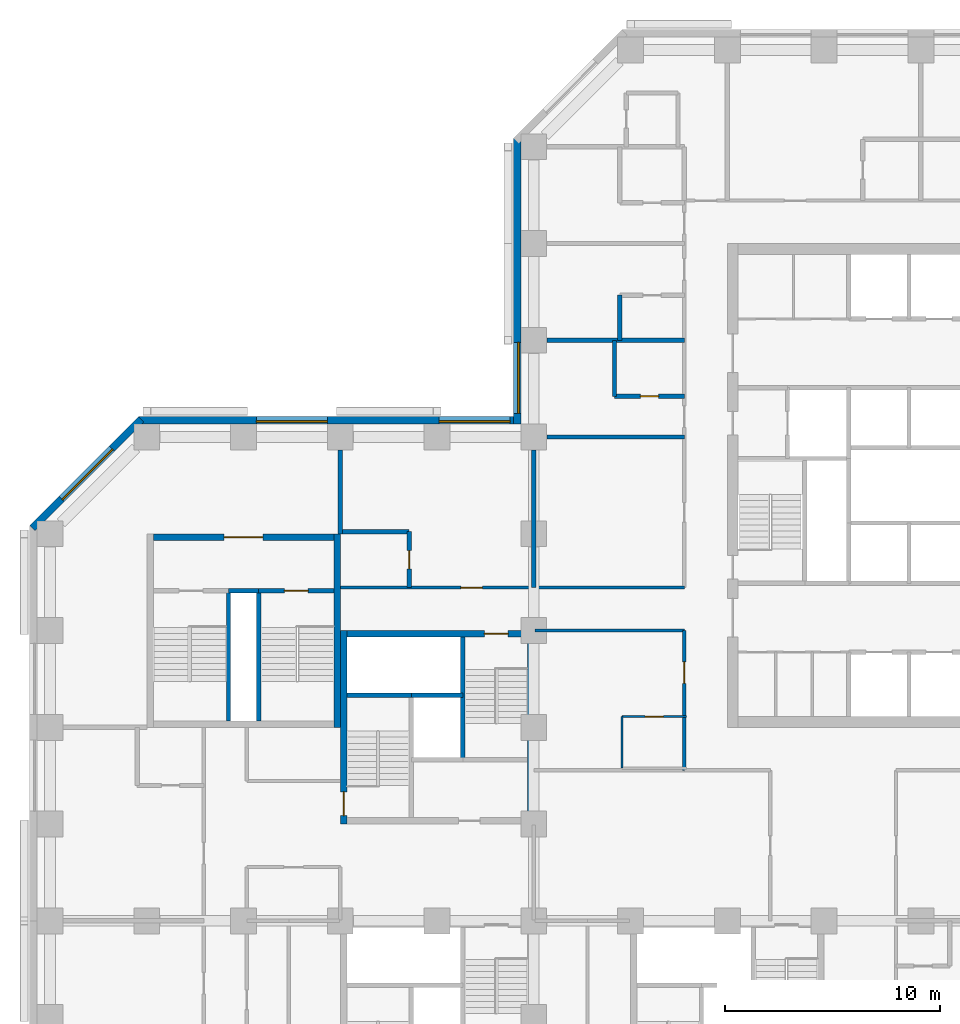
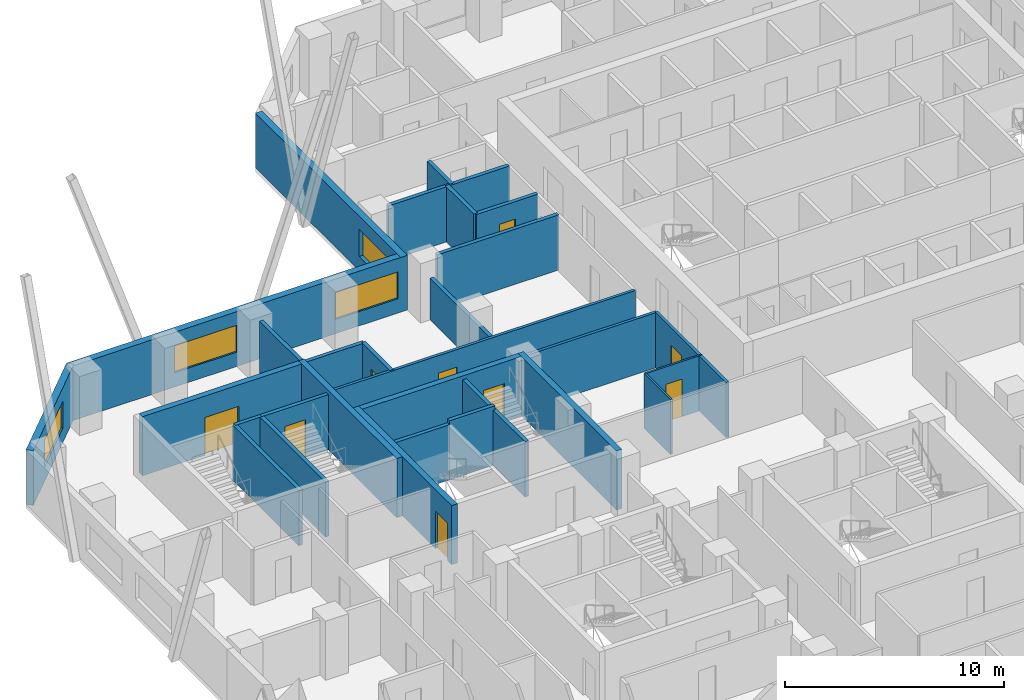
# One storey, part 7 of 13: 29 walls, 9 doors, 4 windows, 13 openings.
"""IFC4 building model written with IfcOpenShell, lengths in metres."""

from ifc_helpers import new_model, si_unit, direction, frame, frame_2d, origin, place, context, subcontext, project, spatial, rectangle, extrude, material, layer, layer_set, constituent, constituent_set, type_object, element, fill, save


model = new_model("IFC4")

# Units and contexts
model_context = context("Model", 3, precision=1e-05, world=origin(), true_north=direction((0.0, 1.0)))
body_context = subcontext(model_context, "Body", "Model", "MODEL_VIEW")
ifc_project = project(units=[si_unit("LENGTHUNIT", "METRE"), si_unit("AREAUNIT", "SQUARE_METRE"), si_unit("VOLUMEUNIT", "CUBIC_METRE"), si_unit("PLANEANGLEUNIT", "RADIAN"), si_unit("MASSUNIT", "GRAM", prefix="KILO")], contexts=[model_context])

# Site, building, storey
site_placement = place(None, origin())
site = spatial("IfcSite", under=ifc_project, at=site_placement, CompositionType="ELEMENT")
building_placement = place(site_placement, origin())
building = spatial("IfcBuilding", under=site, at=building_placement, Name="Quoin Convention Tower", CompositionType="ELEMENT")
storey_placement = place(building_placement, frame((0.0, 0.0, 52.800048828125)))
storey = spatial("IfcBuildingStorey", under=building, at=storey_placement, Name="L13", CompositionType="ELEMENT", Elevation=52.800048828125)

# Wall, opening, window
ifc_material_1 = material(Name="Brick masonry", Category="masonry")
ifc_layer_1 = layer(ifc_material_1, 0.35009765625)
ifc_layer_set_1 = layer_set([ifc_layer_1], Name="Brick masonry")
wall_type_1 = type_object("IfcWallType", Name="Brick facade wall", PredefinedType="STANDARD", material=ifc_layer_set_1)
wall_1_placement = place(storey_placement, frame((35.22509765625, 76.8935546875, 0.0), z_axis=(0.0, 0.0, 1.0), x_axis=(0.0, -1.0, 0.0)))
wall_1 = element("IfcWall", 1, at=wall_1_placement, inside=storey, type_object=wall_type_1, Name="fw-L13-36000_76500", PredefinedType="STANDARD", context=body_context, shape_type="SweptSolid", body=[
    extrude(rectangle(XDim=13.29345703125, YDim=0.35009765625, at=frame_2d((6.646728515625, 0.0))), origin(), (0.0, 0.0, 1.0), 3.054931640625),
])
opening_1_placement = place(wall_1_placement, frame((9.493408203125, 0.0, 0.800048828125)))
opening_1 = element("IfcOpeningElement", 2, at=opening_1_placement, cuts=wall_1, Name="Opening W-01", PredefinedType="OPENING", context=body_context, shape_type="SweptSolid", body=[
    extrude(rectangle(XDim=3.300048828125, YDim=1.5, at=frame_2d((1.64990234375, 0.75))), frame((0.0, 0.18505859375, 0.0), z_axis=(0.0, -1.0, 0.0), x_axis=(1.0, 0.0, 0.0)), (0.0, 0.0, 1.0), 0.3701171875),
])
ifc_material_2 = material(Name="Aluminium", Category="aluminium")
ifc_constituent_1 = constituent(ifc_material_2, Name="Frame")
ifc_material_3 = material(Name="Insulated glass", Category="glass")
ifc_constituent_2 = constituent(ifc_material_3, Name="Glazing")
ifc_constituent_set = constituent_set(constituents=[ifc_constituent_1, ifc_constituent_2], Name="Aluminium")
window_type = type_object("IfcWindowType", Name="Hotel strip window", PartitioningType="DOUBLE_PANEL_VERTICAL", PredefinedType="WINDOW", material=ifc_constituent_set)
window_1_placement = place(opening_1_placement, origin())
window_1 = element("IfcWindow", 3, at=window_1_placement, inside=storey, type_object=window_type, Name="win-L13-35225_65250", OverallHeight=1.5, OverallWidth=3.300048828125, PartitioningType="SINGLE_PANEL", PredefinedType="WINDOW", context=body_context, shape_type="SweptSolid", body=[
    extrude(rectangle(XDim=3.300048828125, YDim=1.5, at=frame_2d((1.64990234375, 0.75))), frame((0.0, 0.0849609375, 0.0), z_axis=(0.0, -1.0, 0.0), x_axis=(1.0, 0.0, 0.0)), (0.0, 0.0, 1.0), 0.06005859375),
])
fill(opening_1, window_1)

# Wall, openings, windows
wall_2_placement = place(storey_placement, frame((35.39990234375, 63.77490234375, 0.0), z_axis=(0.0, 0.0, 1.0), x_axis=(-1.0, 0.0, 0.0)))
wall_2 = element("IfcWall", 4, at=wall_2_placement, inside=storey, type_object=wall_type_1, Name="fw-L13-36000_63000", PredefinedType="STANDARD", context=body_context, shape_type="SweptSolid", body=[
    extrude(rectangle(XDim=17.79345703125, YDim=0.35009765625, at=frame_2d((8.896728515625, 0.0))), origin(), (0.0, 0.0, 1.0), 3.054931640625),
])
opening_2_placement = place(wall_2_placement, frame((0.5, 0.0, 0.800048828125)))
opening_2 = element("IfcOpeningElement", 5, at=opening_2_placement, cuts=wall_2, Name="Opening W-01", PredefinedType="OPENING", context=body_context, shape_type="SweptSolid", body=[
    extrude(rectangle(XDim=3.300048828125, YDim=1.5, at=frame_2d((1.64990234375, 0.75))), frame((0.0, 0.18505859375, 0.0), z_axis=(0.0, -1.0, 0.0), x_axis=(1.0, 0.0, 0.0)), (0.0, 0.0, 1.0), 0.3701171875),
])
opening_3_placement = place(wall_2_placement, frame((9.0, 0.0, 0.800048828125)))
opening_3 = element("IfcOpeningElement", 6, at=opening_3_placement, cuts=wall_2, Name="Opening W-01", PredefinedType="OPENING", context=body_context, shape_type="SweptSolid", body=[
    extrude(rectangle(XDim=3.300048828125, YDim=1.5, at=frame_2d((1.64990234375, 0.75))), frame((0.0, 0.18505859375, 0.0), z_axis=(0.0, -1.0, 0.0), x_axis=(1.0, 0.0, 0.0)), (0.0, 0.0, 1.0), 0.3701171875),
])
window_2_placement = place(opening_2_placement, origin())
window_2 = element("IfcWindow", 7, at=window_2_placement, inside=storey, type_object=window_type, Name="win-L13-33750_63775", OverallHeight=1.5, OverallWidth=3.300048828125, PartitioningType="SINGLE_PANEL", PredefinedType="WINDOW", context=body_context, shape_type="SweptSolid", body=[
    extrude(rectangle(XDim=3.300048828125, YDim=1.5, at=frame_2d((1.64990234375, 0.75))), frame((0.0, 0.0849609375, 0.0), z_axis=(0.0, -1.0, 0.0), x_axis=(1.0, 0.0, 0.0)), (0.0, 0.0, 1.0), 0.06005859375),
])
fill(opening_2, window_2)
window_3_placement = place(opening_3_placement, origin())
window_3 = element("IfcWindow", 8, at=window_3_placement, inside=storey, type_object=window_type, Name="win-L13-24750_63775", OverallHeight=1.5, OverallWidth=3.300048828125, PartitioningType="SINGLE_PANEL", PredefinedType="WINDOW", context=body_context, shape_type="SweptSolid", body=[
    extrude(rectangle(XDim=3.300048828125, YDim=1.5, at=frame_2d((1.64990234375, 0.75))), frame((0.0, 0.0849609375, 0.0), z_axis=(0.0, -1.0, 0.0), x_axis=(1.0, 0.0, 0.0)), (0.0, 0.0, 1.0), 0.06005859375),
])
fill(opening_3, window_3)

# Wall, opening, window
wall_3_placement = place(storey_placement, frame((17.730224609375, 63.826416015625, 0.0), z_axis=(0.0, 0.0, 1.0), x_axis=(-0.707106781187, -0.707106781187, 0.0)))
wall_3 = element("IfcWall", 9, at=wall_3_placement, inside=storey, type_object=wall_type_1, Name="fw-L13-18000_63000", PredefinedType="STANDARD", context=body_context, shape_type="SweptSolid", body=[
    extrude(rectangle(XDim=7.151123046875, YDim=0.35009765625, at=frame_2d((3.57568359375, 0.0))), origin(), (0.0, 0.0, 1.0), 3.054931640625),
])
opening_4_placement = place(wall_3_placement, frame((1.925537109375, 0.0, 0.800048828125)))
opening_4 = element("IfcOpeningElement", 10, at=opening_4_placement, cuts=wall_3, Name="Opening W-01", PredefinedType="OPENING", context=body_context, shape_type="SweptSolid", body=[
    extrude(rectangle(XDim=3.300048828125, YDim=1.5, at=frame_2d((1.64990234375, 0.75))), frame((0.0, 0.18505859375, 0.0), z_axis=(0.0, -1.0, 0.0), x_axis=(1.0, 0.0, 0.0)), (0.0, 0.0, 1.0), 0.3701171875),
])
window_4_placement = place(opening_4_placement, origin())
window_4 = element("IfcWindow", 11, at=window_4_placement, inside=storey, type_object=window_type, Name="win-L13-15202_61298", OverallHeight=1.5, OverallWidth=3.300048828125, PartitioningType="SINGLE_PANEL", PredefinedType="WINDOW", context=body_context, shape_type="SweptSolid", body=[
    extrude(rectangle(XDim=3.300048828125, YDim=1.5, at=frame_2d((1.64990234375, 0.75))), frame((0.0, 0.0849609375, 0.0), z_axis=(0.0, -1.0, 0.0), x_axis=(1.0, 0.0, 0.0)), (0.0, 0.0, 1.0), 0.06005859375),
])
fill(opening_4, window_4)

# Walls
ifc_material_4 = material(Name="Concrete C50", Category="concrete")
ifc_layer_2 = layer(ifc_material_4, 0.199951171875)
ifc_layer_set_2 = layer_set([ifc_layer_2], Name="Concrete C50")
wall_type_2 = type_object("IfcWallType", Name="Core shaft wall", PredefinedType="SOLIDWALL", material=ifc_layer_set_2)
wall_4_placement = place(storey_placement, frame((27.300048828125, 51.0, 0.0), z_axis=(0.0, 0.0, 1.0), x_axis=(1.0, 0.0, 0.0)))
element("IfcWall", 12, at=wall_4_placement, inside=storey, type_object=wall_type_2, Name="cr-P2-L13-h6000_300", PredefinedType="SOLIDWALL", context=body_context, shape_type="SweptSolid", body=[
    extrude(rectangle(XDim=3.0, YDim=0.199951171875, at=frame_2d((1.5, 0.0))), origin(), (0.0, 0.0, 1.0), 3.079833984375),
])
wall_5_placement = place(storey_placement, frame((32.699951171875, 48.0, 0.0), z_axis=(0.0, 0.0, 1.0), x_axis=(0.0, 1.0, 0.0)))
element("IfcWall", 13, at=wall_5_placement, inside=storey, type_object=wall_type_2, Name="cr-P2-L13-v5700_3000", PredefinedType="SOLIDWALL", context=body_context, shape_type="SweptSolid", body=[
    extrude(rectangle(XDim=5.699951171875, YDim=0.199951171875, at=frame_2d((2.85009765625, 0.0))), origin(), (0.0, 0.0, 1.0), 3.079833984375),
])
wall_6_placement = place(storey_placement, frame((21.800048828125, 55.85009765625, 0.0), z_axis=(0.0, 0.0, 1.0), x_axis=(1.0, 0.0, 0.0)))
element("IfcWall", 14, at=wall_6_placement, inside=storey, type_object=wall_type_2, Name="cr-P6-L13-h6350_3800", PredefinedType="SOLIDWALL", context=body_context, shape_type="SweptSolid", body=[
    extrude(rectangle(XDim=1.39990234375, YDim=0.199951171875, at=frame_2d((0.699951171875, 0.0))), origin(), (0.0, 0.0, 1.0), 3.079833984375),
])

# Wall, opening, door
wall_7_placement = place(storey_placement, frame((23.199951171875, 55.85009765625, 0.0), z_axis=(0.0, 0.0, 1.0), x_axis=(1.0, 0.0, 0.0)))
wall_7 = element("IfcWall", 15, at=wall_7_placement, inside=storey, type_object=wall_type_2, Name="cr-P6-L13-h6350_5200", PredefinedType="SOLIDWALL", context=body_context, shape_type="SweptSolid", body=[
    extrude(rectangle(XDim=3.5, YDim=0.199951171875, at=frame_2d((1.75, 0.0))), origin(), (0.0, 0.0, 1.0), 3.079833984375),
])
opening_5_placement = place(wall_7_placement, frame((1.199951171875, 0.0, 0.0)))
opening_5 = element("IfcOpeningElement", 16, at=opening_5_placement, cuts=wall_7, Name="Opening SD12", PredefinedType="OPENING", context=body_context, shape_type="SweptSolid", body=[
    extrude(rectangle(XDim=1.10009765625, YDim=2.10009765625, at=frame_2d((0.550048828125, 1.050048828125))), frame((0.0, 0.10986328125, 0.0), z_axis=(0.0, -1.0, 0.0), x_axis=(1.0, 0.0, 0.0)), (0.0, 0.0, 1.0), 0.219970703125),
])
ifc_material_5 = material(Name="Steel door leaf", Category="steel")
door_type_1 = type_object("IfcDoorType", Name="Stair door 1100 x 2100", OperationType="SINGLE_SWING_RIGHT", PredefinedType="DOOR", material=ifc_material_5)
door_1_placement = place(opening_5_placement, origin())
door_1 = element("IfcDoor", 17, at=door_1_placement, inside=storey, type_object=door_type_1, Name="cd-P6-L13-SB-R2-SD12", OperationType="SINGLE_SWING_RIGHT", OverallHeight=2.10009765625, OverallWidth=1.10009765625, PredefinedType="DOOR", context=body_context, shape_type="SweptSolid", body=[
    extrude(rectangle(XDim=1.10009765625, YDim=2.10009765625, at=frame_2d((0.550048828125, 1.050048828125))), frame((0.0, 0.02490234375, 0.0), z_axis=(0.0, -1.0, 0.0), x_axis=(1.0, 0.0, 0.0)), (0.0, 0.0, 1.0), 0.050048828125),
])
fill(opening_5, door_1)

# Walls
for number, where, z_axis, x_axis, name in (
    (18, (21.800048828125, 49.800048828125, 0.0), (0.0, 0.0, 1.0), (0.0, 1.0, 0.0), "cr-P6-L13-v3800_300"),
    (19, (23.199951171875, 49.800048828125, 0.0), (0.0, 0.0, 1.0), (0.0, 1.0, 0.0), "cr-P6-L13-v5200_300"),
):
    element("IfcWall", number, at=place(storey_placement, frame(where, z_axis=z_axis, x_axis=x_axis)), inside=storey, type_object=wall_type_2, Name=name, PredefinedType="SOLIDWALL", context=body_context, shape_type="SweptSolid", body=[
        extrude(rectangle(XDim=6.050048828125, YDim=0.199951171875, at=frame_2d((3.02490234375, 0.0))), origin(), (0.0, 0.0, 1.0), 3.079833984375),
    ])
ifc_layer_3 = layer(ifc_material_4, 0.199951171875)
ifc_layer_set_3 = layer_set([ifc_layer_3], Name="Concrete C50")
wall_type_3 = type_object("IfcWallType", Name="Core shaft wall to the floor level over", PredefinedType="SOLIDWALL", material=ifc_layer_set_3)
wall_8_placement = place(storey_placement, frame((30.300048828125, 51.0, 0.0), z_axis=(0.0, 0.0, 1.0), x_axis=(1.0, 0.0, 0.0)))
element("IfcWall", 20, at=wall_8_placement, inside=storey, type_object=wall_type_3, Name="cr-P2-L13-h6000_3300", PredefinedType="SOLIDWALL", context=body_context, shape_type="SweptSolid", body=[
    extrude(rectangle(XDim=2.39990234375, YDim=0.199951171875, at=frame_2d((1.199951171875, 0.0))), origin(), (0.0, 0.0, 1.0), 3.300048828125),
])

# Wall, opening, door
ifc_material_6 = material(Name="Concrete C80", Category="concrete")
ifc_layer_4 = layer(ifc_material_6, 0.300048828125)
ifc_layer_set_4 = layer_set([ifc_layer_4], Name="Concrete C80")
wall_type_4 = type_object("IfcWallType", Name="RC CORE WALL 300 C80", PredefinedType="SHEAR", material=ifc_layer_set_4)
wall_9_placement = place(storey_placement, frame((27.300048828125, 53.85009765625, 0.0), z_axis=(0.0, 0.0, 1.0), x_axis=(1.0, 0.0, 0.0)))
wall_9 = element("IfcWall", 21, at=wall_9_placement, inside=storey, type_object=wall_type_4, Name="cwl-P2-L13-N", PredefinedType="SHEAR", context=body_context, shape_type="SweptSolid", body=[
    extrude(rectangle(XDim=8.39990234375, YDim=0.300048828125, at=frame_2d((4.199951171875, 0.0))), origin(), (0.0, 0.0, 1.0), 3.300048828125),
])
opening_6_placement = place(wall_9_placement, frame((6.39990234375, 0.0, 0.0)))
opening_6 = element("IfcOpeningElement", 22, at=opening_6_placement, cuts=wall_9, Name="Opening SD4", PredefinedType="OPENING", context=body_context, shape_type="SweptSolid", body=[
    extrude(rectangle(XDim=1.10009765625, YDim=2.10009765625, at=frame_2d((0.550048828125, 1.050048828125))), frame((0.0, 0.159912109375, 0.0), z_axis=(0.0, -1.0, 0.0), x_axis=(1.0, 0.0, 0.0)), (0.0, 0.0, 1.0), 0.320068359375),
])
door_2_placement = place(opening_6_placement, frame((1.10009765625, 0.0, 0.0), z_axis=(0.0, 0.0, 1.0), x_axis=(-1.0, 0.0, 0.0)))
door_2 = element("IfcDoor", 23, at=door_2_placement, inside=storey, type_object=door_type_1, Name="cd-P2-L13-SB-N", OperationType="SINGLE_SWING_LEFT", OverallHeight=2.10009765625, OverallWidth=1.10009765625, PredefinedType="DOOR", context=body_context, shape_type="SweptSolid", body=[
    extrude(rectangle(XDim=1.10009765625, YDim=2.10009765625, at=frame_2d((0.550048828125, 1.050048828125))), frame((0.0, 0.02490234375, 0.0), z_axis=(0.0, -1.0, 0.0), x_axis=(1.0, 0.0, 0.0)), (0.0, 0.0, 1.0), 0.050048828125),
])
fill(opening_6, door_2)

wall_10_placement = place(storey_placement, frame((27.14990234375, 45.0, 0.0), z_axis=(0.0, 0.0, 1.0), x_axis=(0.0, 1.0, 0.0)))
wall_10 = element("IfcWall", 24, at=wall_10_placement, inside=storey, type_object=wall_type_4, Name="cwl-P2-L13-W", PredefinedType="SHEAR", context=body_context, shape_type="SweptSolid", body=[
    extrude(rectangle(XDim=9.0, YDim=0.300048828125, at=frame_2d((4.5, 0.0))), origin(), (0.0, 0.0, 1.0), 3.300048828125),
])
opening_7_placement = place(wall_10_placement, frame((0.39990234375, 0.0, 0.0)))
opening_7 = element("IfcOpeningElement", 25, at=opening_7_placement, cuts=wall_10, Name="Opening SD3", PredefinedType="OPENING", context=body_context, shape_type="SweptSolid", body=[
    extrude(rectangle(XDim=1.10009765625, YDim=2.10009765625, at=frame_2d((0.550048828125, 1.050048828125))), frame((0.0, 0.159912109375, 0.0), z_axis=(0.0, -1.0, 0.0), x_axis=(1.0, 0.0, 0.0)), (0.0, 0.0, 1.0), 0.320068359375),
])
door_3_placement = place(opening_7_placement, frame((1.10009765625, 0.0, 0.0), z_axis=(0.0, 0.0, 1.0), x_axis=(-1.0, 0.0, 0.0)))
door_3 = element("IfcDoor", 26, at=door_3_placement, inside=storey, type_object=door_type_1, Name="cd-P2-L13-SA-W", OperationType="SINGLE_SWING_RIGHT", OverallHeight=2.10009765625, OverallWidth=1.10009765625, PredefinedType="DOOR", context=body_context, shape_type="SweptSolid", body=[
    extrude(rectangle(XDim=1.10009765625, YDim=2.10009765625, at=frame_2d((0.550048828125, 1.050048828125))), frame((0.0, 0.02490234375, 0.0), z_axis=(0.0, -1.0, 0.0), x_axis=(1.0, 0.0, 0.0)), (0.0, 0.0, 1.0), 0.050048828125),
])
fill(opening_7, door_3)

# Wall
wall_11_placement = place(storey_placement, frame((35.85009765625, 45.0, 0.0), z_axis=(0.0, 0.0, 1.0), x_axis=(0.0, 1.0, 0.0)))
element("IfcWall", 27, at=wall_11_placement, inside=storey, type_object=wall_type_4, Name="cwl-P2-L13-E", PredefinedType="SHEAR", context=body_context, shape_type="SweptSolid", body=[
    extrude(rectangle(XDim=9.0, YDim=0.300048828125, at=frame_2d((4.5, 0.0))), origin(), (0.0, 0.0, 1.0), 3.300048828125),
])

# Wall, opening, door
wall_12_placement = place(storey_placement, frame((18.300048828125, 58.35009765625, 0.0), z_axis=(0.0, 0.0, 1.0), x_axis=(1.0, 0.0, 0.0)))
wall_12 = element("IfcWall", 28, at=wall_12_placement, inside=storey, type_object=wall_type_4, Name="cwl-P6-L13-N", PredefinedType="SHEAR", context=body_context, shape_type="SweptSolid", body=[
    extrude(rectangle(XDim=8.39990234375, YDim=0.300048828125, at=frame_2d((4.199951171875, 0.0))), origin(), (0.0, 0.0, 1.0), 3.300048828125),
])
opening_8_placement = place(wall_12_placement, frame((3.300048828125, 0.0, 0.0)))
opening_8 = element("IfcOpeningElement", 29, at=opening_8_placement, cuts=wall_12, Name="Opening DCV5-55", PredefinedType="OPENING", context=body_context, shape_type="SweptSolid", body=[
    extrude(rectangle(XDim=1.800048828125, YDim=2.10009765625, at=frame_2d((0.89990234375, 1.050048828125))), frame((0.0, 0.159912109375, 0.0), z_axis=(0.0, -1.0, 0.0), x_axis=(1.0, 0.0, 0.0)), (0.0, 0.0, 1.0), 0.320068359375),
])
door_type_2 = type_object("IfcDoorType", Name="Goods lobby door 1800 x 2100", OperationType="SINGLE_SWING_LEFT", PredefinedType="DOOR", material=ifc_material_5)
door_4_placement = place(opening_8_placement, origin())
door_4 = element("IfcDoor", 30, at=door_4_placement, inside=storey, type_object=door_type_2, Name="cd-P6-L13-R2-N", OperationType="SINGLE_SWING_RIGHT", OverallHeight=2.10009765625, OverallWidth=1.800048828125, PredefinedType="DOOR", context=body_context, shape_type="SweptSolid", body=[
    extrude(rectangle(XDim=1.800048828125, YDim=2.10009765625, at=frame_2d((0.89990234375, 1.050048828125))), frame((0.0, 0.02490234375, 0.0), z_axis=(0.0, -1.0, 0.0), x_axis=(1.0, 0.0, 0.0)), (0.0, 0.0, 1.0), 0.050048828125),
])
fill(opening_8, door_4)

# Walls
wall_13_placement = place(storey_placement, frame((26.85009765625, 49.5, 0.0), z_axis=(0.0, 0.0, 1.0), x_axis=(0.0, 1.0, 0.0)))
element("IfcWall", 31, at=wall_13_placement, inside=storey, type_object=wall_type_4, Name="cwl-P6-L13-E", PredefinedType="SHEAR", context=body_context, shape_type="SweptSolid", body=[
    extrude(rectangle(XDim=9.0, YDim=0.300048828125, at=frame_2d((4.5, 0.0))), origin(), (0.0, 0.0, 1.0), 3.300048828125),
])
ifc_layer_5 = layer(ifc_material_4, 0.199951171875)
ifc_layer_set_5 = layer_set([ifc_layer_5], Name="Concrete C50")
wall_type_5 = type_object("IfcWallType", Name="RC party wall", PredefinedType="SOLIDWALL", material=ifc_layer_set_5)
wall_14_placement = place(storey_placement, frame((27.0, 58.5, 0.0), z_axis=(0.0, 0.0, 1.0), x_axis=(0.0, 1.0, 0.0)))
element("IfcWall", 32, at=wall_14_placement, inside=storey, type_object=wall_type_5, Name="pw-L13-097", PredefinedType="SOLIDWALL", context=body_context, shape_type="SweptSolid", body=[
    extrude(rectangle(XDim=3.89990234375, YDim=0.199951171875, at=frame_2d((1.949951171875, 0.0))), origin(), (0.0, 0.0, 1.0), 3.079833984375),
])

# Wall, opening, door
wall_15_placement = place(storey_placement, frame((30.199951171875, 56.0, 0.0), z_axis=(0.0, 0.0, 1.0), x_axis=(0.0, 1.0, 0.0)))
wall_15 = element("IfcWall", 33, at=wall_15_placement, inside=storey, type_object=wall_type_5, Name="pw-L13-098", PredefinedType="SOLIDWALL", context=body_context, shape_type="SweptSolid", body=[
    extrude(rectangle(XDim=2.60009765625, YDim=0.199951171875, at=frame_2d((1.300048828125, 0.0))), origin(), (0.0, 0.0, 1.0), 3.079833984375),
])
opening_9_placement = place(wall_15_placement, frame((0.875, 0.0, 0.0)))
opening_9 = element("IfcOpeningElement", 34, at=opening_9_placement, cuts=wall_15, Name="Opening DHOTEL-B-60", PredefinedType="OPENING", context=body_context, shape_type="SweptSolid", body=[
    extrude(rectangle(XDim=0.85009765625, YDim=2.10009765625, at=frame_2d((0.425048828125, 1.050048828125))), frame((0.0, 0.10986328125, 0.0), z_axis=(0.0, -1.0, 0.0), x_axis=(1.0, 0.0, 0.0)), (0.0, 0.0, 1.0), 0.219970703125),
])
door_type_3 = type_object("IfcDoorType", Name="Bathroom door", OperationType="SINGLE_SWING_LEFT", PredefinedType="DOOR", material=ifc_material_5)
door_5_placement = place(opening_9_placement, frame((0.85009765625, 0.0, 0.0), z_axis=(0.0, 0.0, 1.0), x_axis=(-1.0, 0.0, 0.0)))
door_5 = element("IfcDoor", 35, at=door_5_placement, inside=storey, type_object=door_type_3, Name="dr-L13-028", OperationType="SINGLE_SWING_RIGHT", OverallHeight=2.10009765625, OverallWidth=0.85009765625, PredefinedType="DOOR", context=body_context, shape_type="SweptSolid", body=[
    extrude(rectangle(XDim=0.85009765625, YDim=2.10009765625, at=frame_2d((0.425048828125, 1.050048828125))), frame((0.0, 0.02490234375, 0.0), z_axis=(0.0, -1.0, 0.0), x_axis=(1.0, 0.0, 0.0)), (0.0, 0.0, 1.0), 0.050048828125),
])
fill(opening_9, door_5)

# Wall
wall_16_placement = place(storey_placement, frame((27.10009765625, 58.60009765625, 0.0), z_axis=(0.0, 0.0, 1.0), x_axis=(1.0, 0.0, 0.0)))
element("IfcWall", 36, at=wall_16_placement, inside=storey, type_object=wall_type_5, Name="pw-L13-103", PredefinedType="SOLIDWALL", context=body_context, shape_type="SweptSolid", body=[
    extrude(rectangle(XDim=3.099853515625, YDim=0.199951171875, at=frame_2d((1.5498046875, 0.0))), origin(), (0.0, 0.0, 1.0), 3.079833984375),
])

# Wall, opening, door
wall_17_placement = place(storey_placement, frame((39.75, 64.89990234375, 0.0), z_axis=(0.0, 0.0, 1.0), x_axis=(1.0, 0.0, 0.0)))
wall_17 = element("IfcWall", 37, at=wall_17_placement, inside=storey, type_object=wall_type_5, Name="pw-L13-110", PredefinedType="SOLIDWALL", context=body_context, shape_type="SweptSolid", body=[
    extrude(rectangle(XDim=3.25, YDim=0.199951171875, at=frame_2d((1.625, 0.0))), origin(), (0.0, 0.0, 1.0), 3.079833984375),
])
opening_10_placement = place(wall_17_placement, frame((1.199951171875, 0.0, 0.0)))
opening_10 = element("IfcOpeningElement", 38, at=opening_10_placement, cuts=wall_17, Name="Opening DHOTEL-B-62", PredefinedType="OPENING", context=body_context, shape_type="SweptSolid", body=[
    extrude(rectangle(XDim=0.85009765625, YDim=2.10009765625, at=frame_2d((0.425048828125, 1.050048828125))), frame((0.0, 0.10986328125, 0.0), z_axis=(0.0, -1.0, 0.0), x_axis=(1.0, 0.0, 0.0)), (0.0, 0.0, 1.0), 0.219970703125),
])
door_6_placement = place(opening_10_placement, frame((0.85009765625, 0.0, 0.0), z_axis=(0.0, 0.0, 1.0), x_axis=(-1.0, 0.0, 0.0)))
door_6 = element("IfcDoor", 39, at=door_6_placement, inside=storey, type_object=door_type_3, Name="dr-L13-032", OperationType="SINGLE_SWING_LEFT", OverallHeight=2.10009765625, OverallWidth=0.85009765625, PredefinedType="DOOR", context=body_context, shape_type="SweptSolid", body=[
    extrude(rectangle(XDim=0.85009765625, YDim=2.10009765625, at=frame_2d((0.425048828125, 1.050048828125))), frame((0.0, 0.02490234375, 0.0), z_axis=(0.0, -1.0, 0.0), x_axis=(1.0, 0.0, 0.0)), (0.0, 0.0, 1.0), 0.050048828125),
])
fill(opening_10, door_6)

# Walls
wall_18_placement = place(storey_placement, frame((39.75, 64.89990234375, 0.0), z_axis=(0.0, 0.0, 1.0), x_axis=(0.0, 1.0, 0.0)))
element("IfcWall", 40, at=wall_18_placement, inside=storey, type_object=wall_type_5, Name="pw-L13-111", PredefinedType="SOLIDWALL", context=body_context, shape_type="SweptSolid", body=[
    extrude(rectangle(XDim=2.60009765625, YDim=0.199951171875, at=frame_2d((1.300048828125, 0.0))), origin(), (0.0, 0.0, 1.0), 3.079833984375),
])
wall_19_placement = place(storey_placement, frame((36.60009765625, 67.5, 0.0), z_axis=(0.0, 0.0, 1.0), x_axis=(1.0, 0.0, 0.0)))
element("IfcWall", 41, at=wall_19_placement, inside=storey, type_object=wall_type_5, Name="pw-L13-113", PredefinedType="SOLIDWALL", context=body_context, shape_type="SweptSolid", body=[
    extrude(rectangle(XDim=6.39990234375, YDim=0.199951171875, at=frame_2d((3.199951171875, 0.0))), origin(), (0.0, 0.0, 1.0), 3.079833984375),
])
wall_20_placement = place(storey_placement, frame((40.0, 67.5, 0.0), z_axis=(0.0, 0.0, 1.0), x_axis=(0.0, 1.0, 0.0)))
element("IfcWall", 42, at=wall_20_placement, inside=storey, type_object=wall_type_5, Name="pw-L13-114", PredefinedType="SOLIDWALL", context=body_context, shape_type="SweptSolid", body=[
    extrude(rectangle(XDim=2.10009765625, YDim=0.199951171875, at=frame_2d((1.050048828125, 0.0))), origin(), (0.0, 0.0, 1.0), 3.079833984375),
])

# Wall, opening, door
ifc_material_7 = material(Name="Plasterboard")
ifc_layer_6 = layer(ifc_material_7, 0.012451171875, Name="Finish")
ifc_material_8 = material(Name="Steel stud framing", Category="steel")
ifc_layer_7 = layer(ifc_material_8, 0.074951171875, Name="Structure")
ifc_layer_8 = layer(ifc_material_7, 0.012451171875, Name="Finish")
ifc_layer_set_6 = layer_set([ifc_layer_6, ifc_layer_7, ifc_layer_8], Name="Steel stud framing")
wall_type_6 = type_object("IfcWallType", Name="bathroom partition", PredefinedType="PARTITIONING", material=ifc_layer_set_6)
wall_21_placement = place(storey_placement, frame((43.10009765625, 50.0, 0.0), z_axis=(0.0, 0.0, 1.0), x_axis=(-1.0, 0.0, 0.0)))
wall_21 = element("IfcWall", 43, at=wall_21_placement, inside=storey, type_object=wall_type_6, Name="pw-L13-w01", PredefinedType="PARTITIONING", context=body_context, shape_type="SweptSolid", body=[
    extrude(rectangle(XDim=3.0, YDim=0.10009765625, at=frame_2d((1.5, 0.0))), origin(), (0.0, 0.0, 1.0), 3.079833984375),
])
opening_11_placement = place(wall_21_placement, frame((1.074951171875, 0.0, 0.0)))
opening_11 = element("IfcOpeningElement", 44, at=opening_11_placement, cuts=wall_21, Name="Opening DHOTEL-B-73", PredefinedType="OPENING", context=body_context, shape_type="SweptSolid", body=[
    extrude(rectangle(XDim=0.85009765625, YDim=2.10009765625, at=frame_2d((0.425048828125, 1.050048828125))), frame((0.0, 0.06005859375, 0.0), z_axis=(0.0, -1.0, 0.0), x_axis=(1.0, 0.0, 0.0)), (0.0, 0.0, 1.0), 0.1201171875),
])
door_7_placement = place(opening_11_placement, frame((0.85009765625, 0.0, 0.0), z_axis=(0.0, 0.0, 1.0), x_axis=(-1.0, 0.0, 0.0)))
door_7 = element("IfcDoor", 45, at=door_7_placement, inside=storey, type_object=door_type_3, Name="dr-L13-w02", OperationType="SINGLE_SWING_RIGHT", OverallHeight=2.10009765625, OverallWidth=0.85009765625, PredefinedType="DOOR", context=body_context, shape_type="SweptSolid", body=[
    extrude(rectangle(XDim=0.85009765625, YDim=2.10009765625, at=frame_2d((0.425048828125, 1.050048828125))), frame((0.0, 0.02490234375, 0.0), z_axis=(0.0, -1.0, 0.0), x_axis=(1.0, 0.0, 0.0)), (0.0, 0.0, 1.0), 0.050048828125),
])
fill(opening_11, door_7)

# Wall
wall_22_placement = place(storey_placement, frame((40.10009765625, 50.0, 0.0), z_axis=(0.0, 0.0, 1.0), x_axis=(0.0, -1.0, 0.0)))
element("IfcWall", 46, at=wall_22_placement, inside=storey, type_object=wall_type_6, Name="pw-L13-w02", PredefinedType="PARTITIONING", context=body_context, shape_type="SweptSolid", body=[
    extrude(rectangle(XDim=2.39990234375, YDim=0.10009765625, at=frame_2d((1.199951171875, 0.0))), origin(), (0.0, 0.0, 1.0), 3.079833984375),
])

# Wall, opening, door
ifc_layer_9 = layer(ifc_material_7, 0.012451171875, Name="Finish")
ifc_layer_10 = layer(ifc_material_8, 0.125, Name="Structure")
ifc_layer_11 = layer(ifc_material_7, 0.012451171875, Name="Finish")
ifc_layer_set_7 = layer_set([ifc_layer_9, ifc_layer_10, ifc_layer_11], Name="Steel stud framing")
wall_type_7 = type_object("IfcWallType", Name="corridor partition", PredefinedType="PARTITIONING", material=ifc_layer_set_7)
wall_23_placement = place(storey_placement, frame((43.0, 47.5, 0.0), z_axis=(0.0, 0.0, 1.0), x_axis=(0.0, 1.0, 0.0)))
wall_23 = element("IfcWall", 47, at=wall_23_placement, inside=storey, type_object=wall_type_7, Name="pw-L13-029", PredefinedType="PARTITIONING", context=body_context, shape_type="SweptSolid", body=[
    extrude(rectangle(XDim=6.5, YDim=0.14990234375, at=frame_2d((3.25, 0.0))), origin(), (0.0, 0.0, 1.0), 3.079833984375),
])
opening_12_placement = place(wall_23_placement, frame((4.050048828125, 0.0, 0.0)))
opening_12 = element("IfcOpeningElement", 48, at=opening_12_placement, cuts=wall_23, Name="Opening DHOTEL-B-23", PredefinedType="OPENING", context=body_context, shape_type="SweptSolid", body=[
    extrude(rectangle(XDim=1.0, YDim=2.10009765625, at=frame_2d((0.5, 1.050048828125))), frame((0.0, 0.0849609375, 0.0), z_axis=(0.0, -1.0, 0.0), x_axis=(1.0, 0.0, 0.0)), (0.0, 0.0, 1.0), 0.169921875),
])
door_type_4 = type_object("IfcDoorType", Name="Hotel room door", OperationType="SINGLE_SWING_LEFT", PredefinedType="DOOR", material=ifc_material_5)
door_8_placement = place(opening_12_placement, origin())
door_8 = element("IfcDoor", 49, at=door_8_placement, inside=storey, type_object=door_type_4, Name="dr-L13-w01", OperationType="SINGLE_SWING_RIGHT", OverallHeight=2.10009765625, OverallWidth=1.0, PredefinedType="DOOR", context=body_context, shape_type="SweptSolid", body=[
    extrude(rectangle(XDim=1.0, YDim=2.10009765625, at=frame_2d((0.5, 1.050048828125))), frame((0.0, 0.02490234375, 0.0), z_axis=(0.0, -1.0, 0.0), x_axis=(1.0, 0.0, 0.0)), (0.0, 0.0, 1.0), 0.050048828125),
])
fill(opening_12, door_8)

# Wall
wall_24_placement = place(storey_placement, frame((36.050048828125, 54.0, 0.0), z_axis=(0.0, 0.0, 1.0), x_axis=(1.0, 0.0, 0.0)))
element("IfcWall", 50, at=wall_24_placement, inside=storey, type_object=wall_type_7, Name="pw-L13-033", PredefinedType="PARTITIONING", context=body_context, shape_type="SweptSolid", body=[
    extrude(rectangle(XDim=6.949951171875, YDim=0.14990234375, at=frame_2d((3.47509765625, 0.0))), origin(), (0.0, 0.0, 1.0), 3.079833984375),
])

# Wall, opening, door
wall_25_placement = place(storey_placement, frame((27.0, 56.0, 0.0), z_axis=(0.0, 0.0, 1.0), x_axis=(1.0, 0.0, 0.0)))
wall_25 = element("IfcWall", 51, at=wall_25_placement, inside=storey, type_object=wall_type_7, Name="pw-L13-034", PredefinedType="PARTITIONING", context=body_context, shape_type="SweptSolid", body=[
    extrude(rectangle(XDim=16.0, YDim=0.14990234375, at=frame_2d((8.0, 0.0))), origin(), (0.0, 0.0, 1.0), 3.079833984375),
])
opening_13_placement = place(wall_25_placement, frame((5.60009765625, 0.0, 0.0)))
opening_13 = element("IfcOpeningElement", 52, at=opening_13_placement, cuts=wall_25, Name="Opening DHOTEL-B-32", PredefinedType="OPENING", context=body_context, shape_type="SweptSolid", body=[
    extrude(rectangle(XDim=1.0, YDim=2.10009765625, at=frame_2d((0.5, 1.050048828125))), frame((0.0, 0.0849609375, 0.0), z_axis=(0.0, -1.0, 0.0), x_axis=(1.0, 0.0, 0.0)), (0.0, 0.0, 1.0), 0.169921875),
])
door_9_placement = place(opening_13_placement, origin())
door_9 = element("IfcDoor", 53, at=door_9_placement, inside=storey, type_object=door_type_4, Name="dr-L13-027", OperationType="SINGLE_SWING_RIGHT", OverallHeight=2.10009765625, OverallWidth=1.0, PredefinedType="DOOR", context=body_context, shape_type="SweptSolid", body=[
    extrude(rectangle(XDim=1.0, YDim=2.10009765625, at=frame_2d((0.5, 1.050048828125))), frame((0.0, 0.02490234375, 0.0), z_axis=(0.0, -1.0, 0.0), x_axis=(1.0, 0.0, 0.0)), (0.0, 0.0, 1.0), 0.050048828125),
])
fill(opening_13, door_9)

# Walls
ifc_layer_12 = layer(ifc_material_7, 0.012451171875, Name="Finish")
ifc_layer_13 = layer(ifc_material_8, 0.175048828125, Name="Structure")
ifc_layer_14 = layer(ifc_material_7, 0.012451171875, Name="Finish")
ifc_layer_set_8 = layer_set([ifc_layer_12, ifc_layer_13, ifc_layer_14], Name="Steel stud framing")
wall_type_8 = type_object("IfcWallType", Name="guest room compartment wall", PredefinedType="PARTITIONING", material=ifc_layer_set_8)
wall_26_placement = place(storey_placement, frame((36.60009765625, 63.0, 0.0), z_axis=(0.0, 0.0, 1.0), x_axis=(1.0, 0.0, 0.0)))
element("IfcWall", 54, at=wall_26_placement, inside=storey, type_object=wall_type_8, Name="pw-L13-004", PredefinedType="PARTITIONING", context=body_context, shape_type="SweptSolid", body=[
    extrude(rectangle(XDim=6.39990234375, YDim=0.199951171875, at=frame_2d((3.199951171875, 0.0))), origin(), (0.0, 0.0, 1.0), 3.079833984375),
])
ifc_layer_15 = layer(ifc_material_7, 0.012451171875, Name="Finish")
ifc_layer_16 = layer(ifc_material_8, 0.175048828125, Name="Structure")
ifc_layer_17 = layer(ifc_material_7, 0.012451171875, Name="Finish")
ifc_layer_set_9 = layer_set([ifc_layer_15, ifc_layer_16, ifc_layer_17], Name="Steel stud framing")
wall_type_9 = type_object("IfcWallType", Name="guest room compartment wall under beam 750", PredefinedType="PARTITIONING", material=ifc_layer_set_9)
wall_27_placement = place(storey_placement, frame((36.0, 56.0, 0.0), z_axis=(0.0, 0.0, 1.0), x_axis=(0.0, 1.0, 0.0)))
element("IfcWall", 55, at=wall_27_placement, inside=storey, type_object=wall_type_9, Name="pw-L13-003", PredefinedType="PARTITIONING", context=body_context, shape_type="SweptSolid", body=[
    extrude(rectangle(XDim=6.39990234375, YDim=0.199951171875, at=frame_2d((3.199951171875, 0.0))), origin(), (0.0, 0.0, 1.0), 2.329833984375),
])

save(model, "model.ifc")
